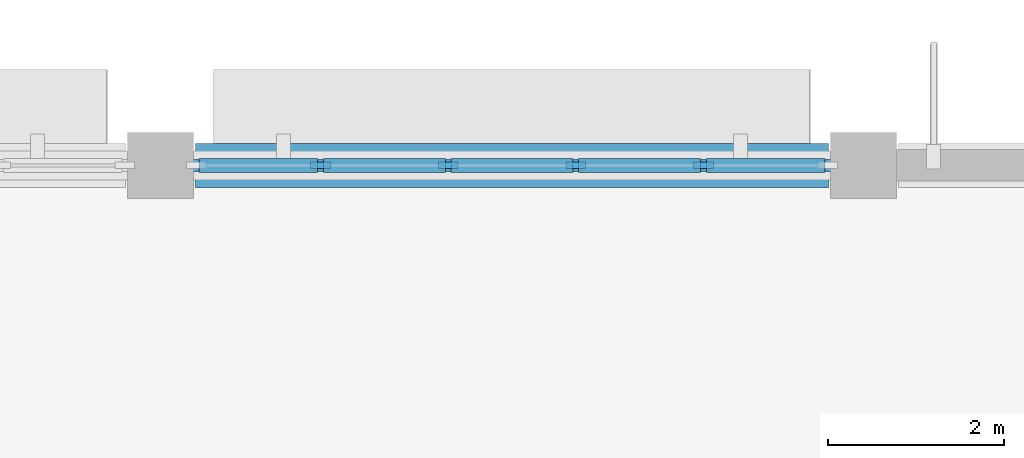
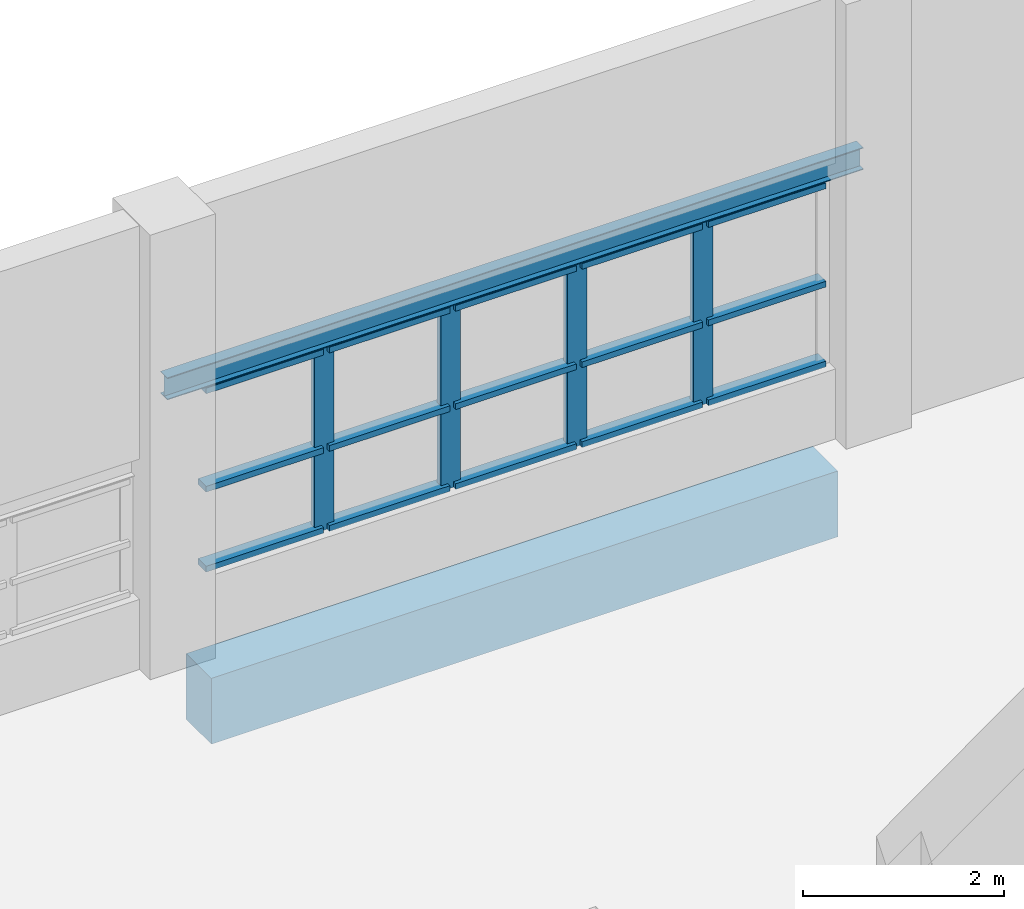
# One storey, part 30 of 103: 19 members, 2 beams, 1 element without a shape of its own.
"""IFC4 building model written with IfcOpenShell, lengths in metres."""

from ifc_helpers import new_model, si_unit, direction, frame, origin, origin_2d, place, context, subcontext, project, spatial, rectangle, i_section, extrude, material, layer, layer_set, material_profile, profile_set, type_object, element, aggregate, save


model = new_model("IFC4")

# Units and contexts
model_context = context("Model", 3, precision=1e-05, world=origin(), true_north=direction((0.0, 1.0)))
body_context = subcontext(model_context, "Body", "Model", "MODEL_VIEW")
ifc_project = project(units=[si_unit("LENGTHUNIT", "METRE"), si_unit("AREAUNIT", "SQUARE_METRE"), si_unit("VOLUMEUNIT", "CUBIC_METRE"), si_unit("PLANEANGLEUNIT", "RADIAN"), si_unit("MASSUNIT", "GRAM", prefix="KILO")], contexts=[model_context])

# Site, building, storey
site_placement = place(None, origin())
site = spatial("IfcSite", under=ifc_project, at=site_placement, CompositionType="ELEMENT")
building_placement = place(site_placement, origin())
building = spatial("IfcBuilding", under=site, at=building_placement, Name="Drelvana Railside Aquatics Centre", CompositionType="ELEMENT")
storey_placement = place(building_placement, origin())
storey = spatial("IfcBuildingStorey", under=building, at=storey_placement, Name="L00", CompositionType="ELEMENT", Elevation=0.0)

# Curtain wall, members
ifc_material_1 = material(Name="Bronze-anodised aluminium curtain wall", Category="aluminium")
ifc_layer = layer(ifc_material_1, 0.199951171875, Name="Bronze-anodised aluminium curtain wall")
ifc_layer_set = layer_set([ifc_layer], Name="Bronze-anodised aluminium curtain wall")
curtain_wall_type = type_object("IfcCurtainWallType", Name="CW-Z1-SINE", PredefinedType="NOTDEFINED", material=ifc_layer_set)
curtain_wall_placement = place(storey_placement, origin())
curtain_wall = element("IfcCurtainWall", 1, at=curtain_wall_placement, inside=storey, type_object=curtain_wall_type, Name="Curtain wall CW-01-037", PredefinedType="NOTDEFINED")
ifc_material_2 = material(Name="Bronze-anodised aluminium 6063-T6", Category="aluminium")
ifc_material_profile_1 = material_profile(ifc_material_2, rectangle(XDim=0.074951171875, YDim=0.22509765625, at=origin_2d()), Name="ALU-M 75x225")
ifc_profile_set_1 = profile_set([ifc_material_profile_1], Name="Bronze-anodised aluminium 6063-T6")
member_type_1 = type_object("IfcMemberType", Name="CW-Z1-SINE-MUL", PredefinedType="MULLION", material=ifc_profile_set_1)
member_1_placement = place(storey_placement, frame((57.8212890625, 116.0, 0.843994140625), z_axis=(0.0, 0.0, 1.0), x_axis=(0.0, 1.0, 0.0)))
member_1 = element("IfcMember", 2, at=member_1_placement, type_object=member_type_1, Name="CW-01 mullion 2", PredefinedType="MULLION", context=body_context, shape_type="SweptSolid", body=[
    extrude(rectangle(XDim=0.074951171875, YDim=0.22509765625, at=origin_2d()), origin(), (0.0, 0.0, 1.0), 2.236083984375),
])
member_2_placement = place(storey_placement, frame((59.273681640625, 116.0, 0.843994140625), z_axis=(0.0, 0.0, 1.0), x_axis=(0.0, 1.0, 0.0)))
member_2 = element("IfcMember", 3, at=member_2_placement, type_object=member_type_1, Name="CW-01 mullion 3", PredefinedType="MULLION", context=body_context, shape_type="SweptSolid", body=[
    extrude(rectangle(XDim=0.074951171875, YDim=0.22509765625, at=origin_2d()), origin(), (0.0, 0.0, 1.0), 2.236083984375),
])
member_3_placement = place(storey_placement, frame((60.726318359375, 116.0, 0.843994140625), z_axis=(0.0, 0.0, 1.0), x_axis=(0.0, 1.0, 0.0)))
member_3 = element("IfcMember", 4, at=member_3_placement, type_object=member_type_1, Name="CW-01 mullion 4", PredefinedType="MULLION", context=body_context, shape_type="SweptSolid", body=[
    extrude(rectangle(XDim=0.074951171875, YDim=0.22509765625, at=origin_2d()), origin(), (0.0, 0.0, 1.0), 2.236083984375),
])
member_4_placement = place(storey_placement, frame((62.1787109375, 116.0, 0.843994140625), z_axis=(0.0, 0.0, 1.0), x_axis=(0.0, 1.0, 0.0)))
member_4 = element("IfcMember", 5, at=member_4_placement, type_object=member_type_1, Name="CW-01 mullion 5", PredefinedType="MULLION", context=body_context, shape_type="SweptSolid", body=[
    extrude(rectangle(XDim=0.074951171875, YDim=0.22509765625, at=origin_2d()), origin(), (0.0, 0.0, 1.0), 2.236083984375),
])
ifc_material_profile_2 = material_profile(ifc_material_2, rectangle(XDim=0.159912109375, YDim=0.070068359375, at=origin_2d()), Name="ALU-T 70x160")
ifc_profile_set_2 = profile_set([ifc_material_profile_2], Name="Bronze-anodised aluminium 6063-T6")
member_type_2 = type_object("IfcMemberType", Name="CW-Z1-SINE-TRN", PredefinedType="USERDEFINED", material=ifc_profile_set_2)
member_5_placement = place(storey_placement, frame((56.43896484375, 116.0, 0.87890625), z_axis=(1.0, 0.0, 0.0), x_axis=(0.0, 1.0, 0.0)))
member_5 = element("IfcMember", 6, at=member_5_placement, type_object=member_type_2, Name="CW-01 transom 1.1", ObjectType="TRANSOM", PredefinedType="USERDEFINED", context=body_context, shape_type="SweptSolid", body=[
    extrude(rectangle(XDim=0.159912109375, YDim=0.070068359375, at=origin_2d()), origin(), (0.0, 0.0, 1.0), 1.349853515625),
])
member_6_placement = place(storey_placement, frame((56.43896484375, 116.0, 1.85009765625), z_axis=(1.0, 0.0, 0.0), x_axis=(0.0, 1.0, 0.0)))
member_6 = element("IfcMember", 7, at=member_6_placement, type_object=member_type_2, Name="CW-01 transom 1.2", ObjectType="TRANSOM", PredefinedType="USERDEFINED", context=body_context, shape_type="SweptSolid", body=[
    extrude(rectangle(XDim=0.159912109375, YDim=0.070068359375, at=origin_2d()), origin(), (0.0, 0.0, 1.0), 1.349853515625),
])
member_7_placement = place(storey_placement, frame((56.43896484375, 116.0, 3.044921875), z_axis=(1.0, 0.0, 0.0), x_axis=(0.0, 1.0, 0.0)))
member_7 = element("IfcMember", 8, at=member_7_placement, type_object=member_type_2, Name="CW-01 transom 1.3", ObjectType="TRANSOM", PredefinedType="USERDEFINED", context=body_context, shape_type="SweptSolid", body=[
    extrude(rectangle(XDim=0.159912109375, YDim=0.070068359375, at=origin_2d()), origin(), (0.0, 0.0, 1.0), 1.349853515625),
])
member_8_placement = place(storey_placement, frame((57.85400390625, 116.0, 0.87890625), z_axis=(1.0, 0.0, 0.0), x_axis=(0.0, 1.0, 0.0)))
member_8 = element("IfcMember", 9, at=member_8_placement, type_object=member_type_2, Name="CW-01 transom 2.1", ObjectType="TRANSOM", PredefinedType="USERDEFINED", context=body_context, shape_type="SweptSolid", body=[
    extrude(rectangle(XDim=0.159912109375, YDim=0.070068359375, at=origin_2d()), origin(), (0.0, 0.0, 1.0), 1.38720703125),
])
member_9_placement = place(storey_placement, frame((57.85400390625, 116.0, 1.85009765625), z_axis=(1.0, 0.0, 0.0), x_axis=(0.0, 1.0, 0.0)))
member_9 = element("IfcMember", 10, at=member_9_placement, type_object=member_type_2, Name="CW-01 transom 2.2", ObjectType="TRANSOM", PredefinedType="USERDEFINED", context=body_context, shape_type="SweptSolid", body=[
    extrude(rectangle(XDim=0.159912109375, YDim=0.070068359375, at=origin_2d()), origin(), (0.0, 0.0, 1.0), 1.38720703125),
])
member_10_placement = place(storey_placement, frame((57.85400390625, 116.0, 3.044921875), z_axis=(1.0, 0.0, 0.0), x_axis=(0.0, 1.0, 0.0)))
member_10 = element("IfcMember", 11, at=member_10_placement, type_object=member_type_2, Name="CW-01 transom 2.3", ObjectType="TRANSOM", PredefinedType="USERDEFINED", context=body_context, shape_type="SweptSolid", body=[
    extrude(rectangle(XDim=0.159912109375, YDim=0.070068359375, at=origin_2d()), origin(), (0.0, 0.0, 1.0), 1.38720703125),
])
member_11_placement = place(storey_placement, frame((59.306396484375, 116.0, 0.87890625), z_axis=(1.0, 0.0, 0.0), x_axis=(0.0, 1.0, 0.0)))
member_11 = element("IfcMember", 12, at=member_11_placement, type_object=member_type_2, Name="CW-01 transom 3.1", ObjectType="TRANSOM", PredefinedType="USERDEFINED", context=body_context, shape_type="SweptSolid", body=[
    extrude(rectangle(XDim=0.159912109375, YDim=0.070068359375, at=origin_2d()), origin(), (0.0, 0.0, 1.0), 1.38720703125),
])
member_12_placement = place(storey_placement, frame((59.306396484375, 116.0, 1.85009765625), z_axis=(1.0, 0.0, 0.0), x_axis=(0.0, 1.0, 0.0)))
member_12 = element("IfcMember", 13, at=member_12_placement, type_object=member_type_2, Name="CW-01 transom 3.2", ObjectType="TRANSOM", PredefinedType="USERDEFINED", context=body_context, shape_type="SweptSolid", body=[
    extrude(rectangle(XDim=0.159912109375, YDim=0.070068359375, at=origin_2d()), origin(), (0.0, 0.0, 1.0), 1.38720703125),
])
member_13_placement = place(storey_placement, frame((59.306396484375, 116.0, 3.044921875), z_axis=(1.0, 0.0, 0.0), x_axis=(0.0, 1.0, 0.0)))
member_13 = element("IfcMember", 14, at=member_13_placement, type_object=member_type_2, Name="CW-01 transom 3.3", ObjectType="TRANSOM", PredefinedType="USERDEFINED", context=body_context, shape_type="SweptSolid", body=[
    extrude(rectangle(XDim=0.159912109375, YDim=0.070068359375, at=origin_2d()), origin(), (0.0, 0.0, 1.0), 1.38720703125),
])
member_14_placement = place(storey_placement, frame((60.7587890625, 116.0, 0.87890625), z_axis=(1.0, 0.0, 0.0), x_axis=(0.0, 1.0, 0.0)))
member_14 = element("IfcMember", 15, at=member_14_placement, type_object=member_type_2, Name="CW-01 transom 4.1", ObjectType="TRANSOM", PredefinedType="USERDEFINED", context=body_context, shape_type="SweptSolid", body=[
    extrude(rectangle(XDim=0.159912109375, YDim=0.070068359375, at=origin_2d()), origin(), (0.0, 0.0, 1.0), 1.38720703125),
])
member_15_placement = place(storey_placement, frame((60.7587890625, 116.0, 1.85009765625), z_axis=(1.0, 0.0, 0.0), x_axis=(0.0, 1.0, 0.0)))
member_15 = element("IfcMember", 16, at=member_15_placement, type_object=member_type_2, Name="CW-01 transom 4.2", ObjectType="TRANSOM", PredefinedType="USERDEFINED", context=body_context, shape_type="SweptSolid", body=[
    extrude(rectangle(XDim=0.159912109375, YDim=0.070068359375, at=origin_2d()), origin(), (0.0, 0.0, 1.0), 1.38720703125),
])
member_16_placement = place(storey_placement, frame((60.7587890625, 116.0, 3.044921875), z_axis=(1.0, 0.0, 0.0), x_axis=(0.0, 1.0, 0.0)))
member_16 = element("IfcMember", 17, at=member_16_placement, type_object=member_type_2, Name="CW-01 transom 4.3", ObjectType="TRANSOM", PredefinedType="USERDEFINED", context=body_context, shape_type="SweptSolid", body=[
    extrude(rectangle(XDim=0.159912109375, YDim=0.070068359375, at=origin_2d()), origin(), (0.0, 0.0, 1.0), 1.38720703125),
])
member_17_placement = place(storey_placement, frame((62.211181640625, 116.0, 0.87890625), z_axis=(1.0, 0.0, 0.0), x_axis=(0.0, 1.0, 0.0)))
member_17 = element("IfcMember", 18, at=member_17_placement, type_object=member_type_2, Name="CW-01 transom 5.1", ObjectType="TRANSOM", PredefinedType="USERDEFINED", context=body_context, shape_type="SweptSolid", body=[
    extrude(rectangle(XDim=0.159912109375, YDim=0.070068359375, at=origin_2d()), origin(), (0.0, 0.0, 1.0), 1.349853515625),
])
member_18_placement = place(storey_placement, frame((62.211181640625, 116.0, 1.85009765625), z_axis=(1.0, 0.0, 0.0), x_axis=(0.0, 1.0, 0.0)))
member_18 = element("IfcMember", 19, at=member_18_placement, type_object=member_type_2, Name="CW-01 transom 5.2", ObjectType="TRANSOM", PredefinedType="USERDEFINED", context=body_context, shape_type="SweptSolid", body=[
    extrude(rectangle(XDim=0.159912109375, YDim=0.070068359375, at=origin_2d()), origin(), (0.0, 0.0, 1.0), 1.349853515625),
])
member_19_placement = place(storey_placement, frame((62.211181640625, 116.0, 3.044921875), z_axis=(1.0, 0.0, 0.0), x_axis=(0.0, 1.0, 0.0)))
member_19 = element("IfcMember", 20, at=member_19_placement, type_object=member_type_2, Name="CW-01 transom 5.3", ObjectType="TRANSOM", PredefinedType="USERDEFINED", context=body_context, shape_type="SweptSolid", body=[
    extrude(rectangle(XDim=0.159912109375, YDim=0.070068359375, at=origin_2d()), origin(), (0.0, 0.0, 1.0), 1.349853515625),
])
aggregate(curtain_wall, [member_1, member_2, member_3, member_4, member_5, member_6, member_7, member_8, member_9, member_10, member_11, member_12, member_13, member_14, member_15, member_16, member_17, member_18, member_19])

# Beams
ifc_material_3 = material(Name="Concrete C40/50", Category="concrete")
ifc_material_profile_3 = material_profile(ifc_material_3, rectangle(XDim=0.5, YDim=0.800048828125, at=origin_2d()), Name="RC 500x800")
ifc_profile_set_3 = profile_set([ifc_material_profile_3], Name="Concrete C40/50")
beam_type_1 = type_object("IfcBeamType", Name="STR-BM-BM-06-RC-500x800", PredefinedType="SPANDREL", material=ifc_profile_set_3)
beam_1_placement = place(storey_placement, frame((56.39990234375, 116.0, -0.72998046875), z_axis=(1.0, 0.0, 0.0), x_axis=(0.0, 1.0, 0.0)))
element("IfcBeam", 21, at=beam_1_placement, inside=storey, type_object=beam_type_1, Name="Girder BM-06 (L00)", PredefinedType="SPANDREL", context=body_context, shape_type="SweptSolid", body=[
    extrude(rectangle(XDim=0.5, YDim=0.800048828125, at=origin_2d()), origin(), (0.0, 0.0, 1.0), 7.2001953125),
])
ifc_material_4 = material(Name="Structural steel S355", Category="steel")
ifc_material_profile_4 = material_profile(ifc_material_4, i_section(OverallWidth=0.135009765625, OverallDepth=0.27001953125, WebThickness=0.006591796875, FlangeThickness=0.01025390625, at=origin_2d()), Name="IPE 270")
ifc_profile_set_4 = profile_set([ifc_material_profile_4], Name="Structural steel S355")
beam_type_2 = type_object("IfcBeamType", Name="STR-SBM-SJ-02-IPE-270", PredefinedType="JOIST", material=ifc_profile_set_4)
beam_2_placement = place(storey_placement, frame((56.0, 116.0, 3.215087890625), z_axis=(1.0, 0.0, 0.0), x_axis=(0.0, 1.0, 0.0)))
element("IfcBeam", 22, at=beam_2_placement, inside=storey, type_object=beam_type_2, Name="V2N sine-wave lintel beam 9", PredefinedType="JOIST", context=body_context, shape_type="SweptSolid", body=[
    extrude(i_section(OverallWidth=0.135009765625, OverallDepth=0.27001953125, WebThickness=0.006591796875, FlangeThickness=0.01025390625, at=origin_2d()), origin(), (0.0, 0.0, 1.0), 8.0),
])

save(model, "model.ifc")
